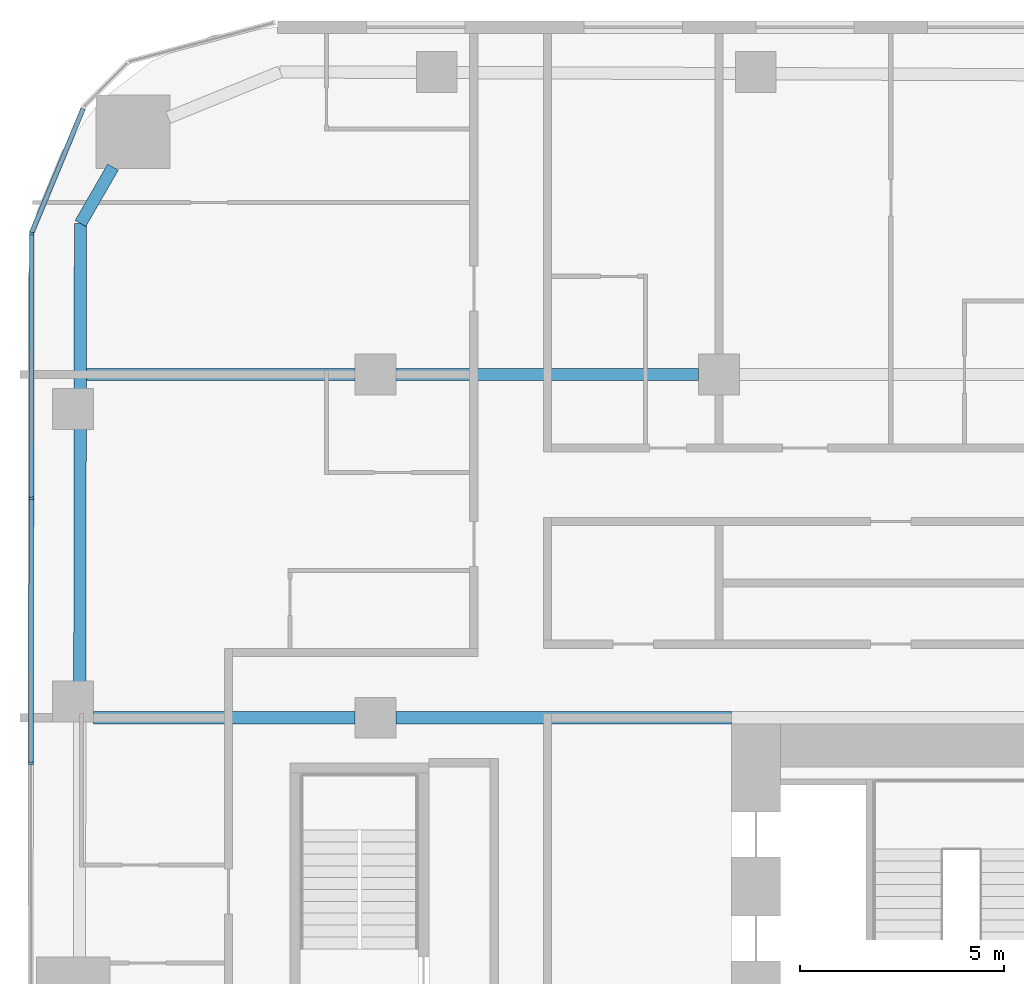
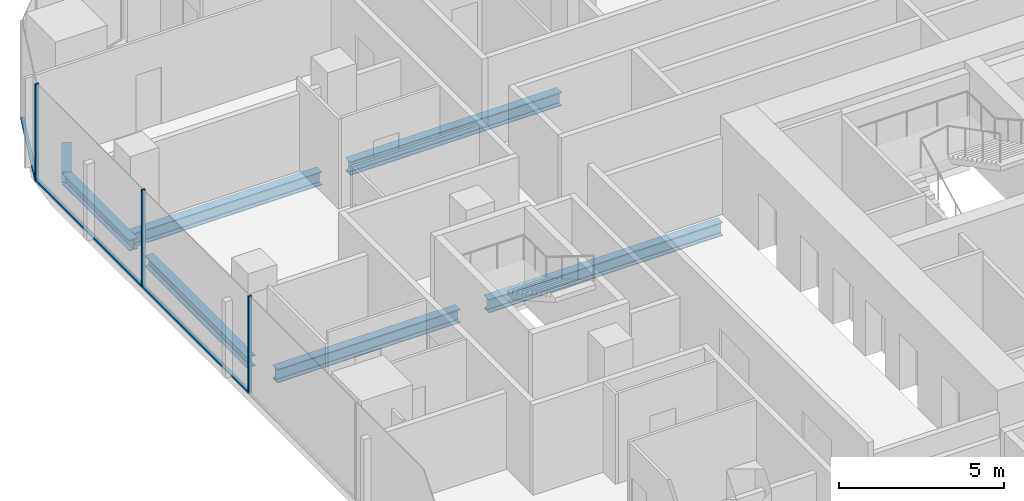
# One storey, part 8 of 26: 7 beams, 6 members, 2 elements without a shape of their own.
"""IFC4 building model written with IfcOpenShell, lengths in metres."""

import ifcopenshell
import ifcopenshell.guid

model = None  # the IFC model being written
_history = None  # IfcOwnerHistory: only IFC2X3 demands one
_inside = {}  # id of a spatial element -> (the spatial element, [elements in it])
_under = {}  # id of a project, library or spatial element -> (it, [spatial elements below it])
_declared = {}  # id of a project -> (the project, [libraries it declares])
_typed = {}  # id of a type object -> (the type object, [elements of that type])
_made_of = {}  # id of a material, layer set ... -> (it, [elements and type objects made of it])


def new_model(schema):
    """Start an empty IFC model of exactly this schema.

    Asked for "IFC4X3", IfcOpenShell would pick the latest addendum, in which some entities
    have other attributes; the version numbers below select the first issue.
    IFC2X3 requires an IfcOwnerHistory on every rooted entity: one is made here for all.
    """
    global model, _history
    if schema == "IFC4X3":
        model = ifcopenshell.file(schema_version=(4, 3, 0, 0))
    else:
        model = ifcopenshell.file(schema=schema)
    _inside.clear()
    _under.clear()
    _declared.clear()
    _typed.clear()
    _made_of.clear()
    _history = None
    if model.schema == "IFC2X3":
        org = make("IfcOrganization", Name="unknown")
        user = make(
            "IfcPersonAndOrganization",
            ThePerson=make("IfcPerson", FamilyName="unknown"),
            TheOrganization=org,
        )
        app = make(
            "IfcApplication",
            ApplicationDeveloper=org,
            Version="unknown",
            ApplicationFullName="unknown",
            ApplicationIdentifier="unknown",
        )
        _history = make(
            "IfcOwnerHistory",
            OwningUser=user,
            OwningApplication=app,
            ChangeAction="ADDED",
            CreationDate=0,
        )
    return model


def make(cls, **values):
    """One entity of the class cls with the attributes given. An attribute that is None is left unset."""
    return model.create_entity(
        cls, **{name: value for name, value in values.items() if value is not None}
    )


def rooted(cls, **values):
    """An entity with a GlobalId (a new one), such as an element, a storey or a relation."""
    return make(cls, GlobalId=ifcopenshell.guid.new(), OwnerHistory=_history, **values)


def si_unit(unit_type, name, prefix=None):
    """IfcSIUnit, for example si_unit("LENGTHUNIT", "METRE", prefix="MILLI")."""
    return make("IfcSIUnit", UnitType=unit_type, Prefix=prefix, Name=name)


def assignment(units):
    """IfcUnitAssignment: the units of a project."""
    return None if units is None else make("IfcUnitAssignment", Units=units)


def point(xyz):
    """IfcCartesianPoint."""
    return None if xyz is None else make("IfcCartesianPoint", Coordinates=xyz)


def direction(xyz):
    """IfcDirection."""
    return None if xyz is None else make("IfcDirection", DirectionRatios=xyz)


def frame(location, z_axis=None, x_axis=None):
    """IfcAxis2Placement3D, a coordinate frame: its origin and axes. An axis left out is left unset."""
    return make(
        "IfcAxis2Placement3D",
        Location=point(location),
        Axis=direction(z_axis),
        RefDirection=direction(x_axis),
    )


def frame_2d(location, x_axis=None):
    """IfcAxis2Placement2D, a coordinate frame in the plane: its origin and x axis."""
    return make(
        "IfcAxis2Placement2D", Location=point(location), RefDirection=direction(x_axis)
    )


def origin():
    """The frame at (0, 0, 0) with its axes left unset."""
    return frame((0.0, 0.0, 0.0))


def origin_2d():
    """The frame at (0, 0) in the plane with its x axis left unset."""
    return frame_2d((0.0, 0.0))


def place(relative_to, where):
    """IfcLocalPlacement: puts the frame where relative to a parent placement (None: the world)."""
    return make(
        "IfcLocalPlacement", PlacementRelTo=relative_to, RelativePlacement=where
    )


def context(
    kind, dimensions, precision=None, world=None, true_north=None, identifier=None
):
    """IfcGeometricRepresentationContext, for example the 3D "Model" context."""
    return make(
        "IfcGeometricRepresentationContext",
        ContextIdentifier=identifier,
        ContextType=kind,
        CoordinateSpaceDimension=dimensions,
        Precision=precision,
        WorldCoordinateSystem=world,
        TrueNorth=true_north,
    )


def subcontext(parent, identifier, kind, view, scale=None):
    """IfcGeometricRepresentationSubContext, for example "Body" below "Model"."""
    return make(
        "IfcGeometricRepresentationSubContext",
        ContextIdentifier=identifier,
        ContextType=kind,
        ParentContext=parent,
        TargetScale=scale,
        TargetView=view,
    )


def project(units=None, contexts=None):
    """IfcProject with its units and contexts."""
    return rooted(
        "IfcProject",
        Name="project",
        RepresentationContexts=contexts,
        UnitsInContext=assignment(units),
    )


def spatial(cls, under=None, at=None, **own):
    """A site, building, storey or space (cls), placed at a placement, below another one or the project."""
    s = rooted(cls, ObjectPlacement=at, **own)
    if under is not None:
        _under.setdefault(under.id(), (under, []))[1].append(s)
    return s


def profile(cls, at=None, kind="AREA", **sizes):
    """A parametric profile (cls). Its sizes go by their IFC names, for example OverallWidth=200.0."""
    return make(cls, ProfileType=kind, Position=at, **sizes)


def rectangle(**sizes):
    """IfcRectangleProfileDef."""
    return profile("IfcRectangleProfileDef", **sizes)


def i_section(**sizes):
    """IfcIShapeProfileDef."""
    return profile("IfcIShapeProfileDef", **sizes)


def extrude(swept, where, along, depth):
    """IfcExtrudedAreaSolid: the profile swept, set in the frame where, extruded along a direction by depth."""
    return make(
        "IfcExtrudedAreaSolid",
        SweptArea=swept,
        Position=where,
        ExtrudedDirection=direction(along),
        Depth=depth,
    )


def shape(context_of_items, identifier, shape_type, items):
    """IfcShapeRepresentation: the items that make up one representation, for example the "Body"."""
    return make(
        "IfcShapeRepresentation",
        ContextOfItems=context_of_items,
        RepresentationIdentifier=identifier,
        RepresentationType=shape_type,
        Items=items,
    )


def material(Name=None, Category=None):
    """IfcMaterial."""
    return make("IfcMaterial", Name=Name, Category=Category)


def layer(
    of_material, thickness, ventilated=None, Name=None, Category=None, Priority=None
):
    """IfcMaterialLayer: one layer of a wall or slab, of a material (None: an air gap)."""
    return make(
        "IfcMaterialLayer",
        Material=of_material,
        LayerThickness=thickness,
        IsVentilated=ventilated,
        Name=Name,
        Category=Category,
        Priority=Priority,
    )


def layer_set(layers, Name=None):
    """IfcMaterialLayerSet."""
    return make("IfcMaterialLayerSet", MaterialLayers=layers, LayerSetName=Name)


def material_profile(
    of_material, cross_section, Name=None, Category=None, Priority=None
):
    """IfcMaterialProfile: a cross section and its material."""
    return make(
        "IfcMaterialProfile",
        Name=Name,
        Material=of_material,
        Profile=cross_section,
        Priority=Priority,
        Category=Category,
    )


def profile_set(profiles, Name=None, composite=None):
    """IfcMaterialProfileSet."""
    return make(
        "IfcMaterialProfileSet",
        Name=Name,
        MaterialProfiles=profiles,
        CompositeProfile=composite,
    )


def made_of(thing, what):
    """Note that an element or type object is made of a material, layer set ...; save() writes the relation."""
    if what is not None:
        _made_of.setdefault(what.id(), (what, []))[1].append(thing)
    return thing


def type_object(cls, material=None, **own):
    """A type object (cls), such as IfcWallType, which elements share."""
    return made_of(rooted(cls, **own), material)


def element(
    cls,
    number,
    at=None,
    inside=None,
    cuts=None,
    type_object=None,
    material=None,
    context=None,
    identifier="Body",
    shape_type=None,
    held_by="IfcProductDefinitionShape",
    body=None,
    shapes=None,
    **own,
):
    """One element of the class cls, such as IfcWall. Its Tag is "e" and its number.

    at: its placement. inside: the storey or other place that contains it. cuts: it is an
    opening in that element (IfcRelVoidsElement). A single representation is given by context,
    identifier, shape_type and body (its items); several are given by shapes. held_by: the class
    of the entity that holds the representations. save() writes the other relations.
    """
    e = rooted(cls, Tag="e%d" % number, ObjectPlacement=at, **own)
    if body is not None:
        shapes = [shape(context, identifier, shape_type, body)]
    if shapes is not None:
        e.Representation = make(held_by, Representations=shapes)
    if inside is not None:
        _inside.setdefault(inside.id(), (inside, []))[1].append(e)
    if cuts is not None:
        rooted(
            "IfcRelVoidsElement", RelatingBuildingElement=cuts, RelatedOpeningElement=e
        )
    if type_object is not None:
        _typed.setdefault(type_object.id(), (type_object, []))[1].append(e)
    return made_of(e, material)


def aggregate(whole, parts):
    """IfcRelAggregates: a whole, such as a stair, and the parts it consists of."""
    return rooted("IfcRelAggregates", RelatingObject=whole, RelatedObjects=parts)


def save(model, path):
    """Write the relations noted so far, then the file.

    IfcRelAggregates (storeys below a building ...), IfcRelContainedInSpatialStructure (elements
    in a storey), IfcRelDefinesByType, IfcRelAssociatesMaterial and IfcRelDeclares: one each for
    every whole, place, type object, material and project.
    """
    for whole, parts in _under.values():
        aggregate(whole, parts)
    for where, things in _inside.values():
        rooted(
            "IfcRelContainedInSpatialStructure",
            RelatedElements=things,
            RelatingStructure=where,
        )
    for kind, things in _typed.values():
        rooted("IfcRelDefinesByType", RelatedObjects=things, RelatingType=kind)
    for what, things in _made_of.values():
        rooted("IfcRelAssociatesMaterial", RelatedObjects=things, RelatingMaterial=what)
    for by, libraries in _declared.values():
        rooted("IfcRelDeclares", RelatingContext=by, RelatedDefinitions=libraries)
    model.write(path)


model = new_model("IFC4")

# Units and contexts
model_context = context("Model", 3, precision=1e-05, world=origin(), true_north=direction((0.0, 1.0)))
body_context = subcontext(model_context, "Body", "Model", "MODEL_VIEW")
ifc_project = project(units=[si_unit("LENGTHUNIT", "METRE"), si_unit("AREAUNIT", "SQUARE_METRE"), si_unit("VOLUMEUNIT", "CUBIC_METRE"), si_unit("PLANEANGLEUNIT", "RADIAN"), si_unit("MASSUNIT", "GRAM", prefix="KILO")], contexts=[model_context])

# Site, building, storey
site_placement = place(None, origin())
site = spatial("IfcSite", under=ifc_project, at=site_placement, CompositionType="ELEMENT")
building_placement = place(site_placement, origin())
building = spatial("IfcBuilding", under=site, at=building_placement, Name="Marenta Gate Hotel Tower", CompositionType="ELEMENT")
storey_placement = place(building_placement, frame((0.0, 0.0, 65.300048828125)))
storey = spatial("IfcBuildingStorey", under=building, at=storey_placement, Name="L14", CompositionType="ELEMENT", Elevation=65.300048828125)

# Beams
ifc_material_1 = material(Name="Steel S355", Category="steel")
ifc_material_profile_1 = material_profile(ifc_material_1, i_section(OverallWidth=0.300048828125, OverallDepth=0.39990234375, WebThickness=0.013427734375, FlangeThickness=0.02392578125, FilletRadius=0.027099609375, at=origin_2d()), Name="HEB 400")
ifc_profile_set_1 = profile_set([ifc_material_profile_1], Name="Steel S355")
beam_type_1 = type_object("IfcBeamType", Name="Edge beam HEB 400", PredefinedType="SPANDREL", material=ifc_profile_set_1)
beam_1_placement = place(storey_placement, frame((-28.23681640625, 17.6630859375, -0.4599609375), z_axis=(0.001370827476, 0.999999060416, 0.0), x_axis=(-0.999999060416, 0.001370827476, 0.0)))
element("IfcBeam", 1, at=beam_1_placement, inside=storey, type_object=beam_type_1, Name="L14-EB-9", PredefinedType="SPANDREL", context=body_context, shape_type="SweptSolid", body=[
    extrude(i_section(OverallWidth=0.300048828125, OverallDepth=0.39990234375, WebThickness=0.013427734375, FlangeThickness=0.02392578125, FilletRadius=0.027099609375, at=origin_2d()), origin(), (0.0, 0.0, 1.0), 6.2333984375),
])
beam_2_placement = place(storey_placement, frame((-28.22705078125, 24.81640625, -0.4599609375), z_axis=(0.001377821732, 0.999999050803, 0.0), x_axis=(-0.999999050803, 0.001377821732, 0.0)))
element("IfcBeam", 2, at=beam_2_placement, inside=storey, type_object=beam_type_1, Name="L14-EB-10", PredefinedType="SPANDREL", context=body_context, shape_type="SweptSolid", body=[
    extrude(i_section(OverallWidth=0.300048828125, OverallDepth=0.39990234375, WebThickness=0.013427734375, FlangeThickness=0.02392578125, FilletRadius=0.027099609375, at=origin_2d()), origin(), (0.0, 0.0, 1.0), 4.075439453125),
])
beam_3_placement = place(storey_placement, frame((-28.221435546875, 28.891845703125, -0.4599609375), z_axis=(0.500098681536, 0.865968422476, 0.0), x_axis=(-0.865968422476, 0.500098681536, 0.0)))
element("IfcBeam", 3, at=beam_3_placement, inside=storey, type_object=beam_type_1, Name="L14-EB-11", PredefinedType="SPANDREL", context=body_context, shape_type="SweptSolid", body=[
    extrude(i_section(OverallWidth=0.300048828125, OverallDepth=0.39990234375, WebThickness=0.013427734375, FlangeThickness=0.02392578125, FilletRadius=0.027099609375, at=origin_2d()), origin(), (0.0, 0.0, 1.0), 1.591552734375),
])
ifc_material_2 = material(Name="Steel S355", Category="steel")
ifc_material_profile_2 = material_profile(ifc_material_2, i_section(OverallWidth=0.300048828125, OverallDepth=0.5, WebThickness=0.014404296875, FlangeThickness=0.028076171875, FilletRadius=0.027099609375, at=origin_2d()), Name="HEB 500")
ifc_profile_set_2 = profile_set([ifc_material_profile_2], Name="Steel S355")
beam_type_2 = type_object("IfcBeamType", Name="Girder HEB 500", PredefinedType="BEAM", material=ifc_profile_set_2)
beam_4_placement = place(storey_placement, frame((-27.89990234375, 16.800048828125, -0.510009765625), z_axis=(1.0, 0.0, 0.0), x_axis=(0.0, 1.0, 0.0)))
element("IfcBeam", 4, at=beam_4_placement, inside=storey, type_object=beam_type_2, Name="L14-GD-17", PredefinedType="BEAM", context=body_context, shape_type="SweptSolid", body=[
    extrude(i_section(OverallWidth=0.300048828125, OverallDepth=0.5, WebThickness=0.014404296875, FlangeThickness=0.028076171875, FilletRadius=0.027099609375, at=origin_2d()), origin(), (0.0, 0.0, 1.0), 6.39990234375),
])
beam_5_placement = place(storey_placement, frame((-20.5, 16.800048828125, -0.510009765625), z_axis=(1.0, 0.0, 0.0), x_axis=(0.0, 1.0, 0.0)))
element("IfcBeam", 5, at=beam_5_placement, inside=storey, type_object=beam_type_2, Name="L14-GD-18", PredefinedType="BEAM", context=body_context, shape_type="SweptSolid", body=[
    extrude(i_section(OverallWidth=0.300048828125, OverallDepth=0.5, WebThickness=0.014404296875, FlangeThickness=0.028076171875, FilletRadius=0.027099609375, at=origin_2d()), origin(), (0.0, 0.0, 1.0), 8.199951171875),
])
beam_6_placement = place(storey_placement, frame((-28.076416015625, 25.199951171875, -0.510009765625), z_axis=(1.0, 0.0, 0.0), x_axis=(0.0, 1.0, 0.0)))
element("IfcBeam", 6, at=beam_6_placement, inside=storey, type_object=beam_type_2, Name="L14-GD-22", PredefinedType="BEAM", context=body_context, shape_type="SweptSolid", body=[
    extrude(i_section(OverallWidth=0.300048828125, OverallDepth=0.5, WebThickness=0.014404296875, FlangeThickness=0.028076171875, FilletRadius=0.027099609375, at=origin_2d()), origin(), (0.0, 0.0, 1.0), 6.576416015625),
])
beam_7_placement = place(storey_placement, frame((-20.5, 25.199951171875, -0.510009765625), z_axis=(1.0, 0.0, 0.0), x_axis=(0.0, 1.0, 0.0)))
element("IfcBeam", 7, at=beam_7_placement, inside=storey, type_object=beam_type_2, Name="L14-GD-23", PredefinedType="BEAM", context=body_context, shape_type="SweptSolid", body=[
    extrude(i_section(OverallWidth=0.300048828125, OverallDepth=0.5, WebThickness=0.014404296875, FlangeThickness=0.028076171875, FilletRadius=0.027099609375, at=origin_2d()), origin(), (0.0, 0.0, 1.0), 7.39990234375),
])

# Curtain wall, members
ifc_material_3 = material(Name="Tinted insulated glass in bronze anodised frame", Category="glass")
ifc_layer = layer(ifc_material_3, 0.1201171875)
ifc_layer_set = layer_set([ifc_layer], Name="Tinted insulated glass in bronze anodised frame")
curtain_wall_type = type_object("IfcCurtainWallType", Name="Tower unitised curtain wall CW1", PredefinedType="NOTDEFINED", material=ifc_layer_set)
curtain_wall_1_placement = place(storey_placement, origin())
curtain_wall_1 = element("IfcCurtainWall", 8, at=curtain_wall_1_placement, inside=storey, type_object=curtain_wall_type, Name="CW1 run G03", PredefinedType="NOTDEFINED")
ifc_material_4 = material(Name="Bronze anodised aluminium", Category="aluminium")
ifc_material_profile_3 = material_profile(ifc_material_4, rectangle(XDim=0.1201171875, YDim=0.06005859375, at=origin_2d()), Name="Mullion CW1 60x120 bronze anodised aluminium")
ifc_profile_set_3 = profile_set([ifc_material_profile_3], Name="Bronze anodised aluminium")
member_type_1 = type_object("IfcMemberType", Name="Mullion CW1 60x120 bronze anodised aluminium", PredefinedType="MULLION", material=ifc_profile_set_3)
member_1_placement = place(storey_placement, frame((-29.412353515625, 28.63623046875, 0.0), z_axis=(0.0, 0.0, 1.0), x_axis=(0.99999877316, -0.00156642217, 0.0)))
member_1 = element("IfcMember", 9, at=member_1_placement, type_object=member_type_1, Name="CW1 mullion 1", PredefinedType="MULLION", context=body_context, shape_type="SweptSolid", body=[
    extrude(rectangle(XDim=0.1201171875, YDim=0.06005859375, at=origin_2d()), origin(), (0.0, 0.0, 1.0), 3.599853515625),
])
member_2_placement = place(storey_placement, frame((-29.42236328125, 22.17578125, 0.0), z_axis=(0.0, 0.0, 1.0), x_axis=(0.99999877316, -0.00156642217, 0.0)))
member_2 = element("IfcMember", 10, at=member_2_placement, type_object=member_type_1, Name="CW1 mullion 2", PredefinedType="MULLION", context=body_context, shape_type="SweptSolid", body=[
    extrude(rectangle(XDim=0.1201171875, YDim=0.06005859375, at=origin_2d()), origin(), (0.0, 0.0, 1.0), 3.599853515625),
])
member_3_placement = place(storey_placement, frame((-29.4326171875, 15.685546875, 0.0), z_axis=(0.0, 0.0, 1.0), x_axis=(0.99999877316, -0.00156642217, 0.0)))
member_3 = element("IfcMember", 11, at=member_3_placement, type_object=member_type_1, Name="CW1 mullion 3", PredefinedType="MULLION", context=body_context, shape_type="SweptSolid", body=[
    extrude(rectangle(XDim=0.1201171875, YDim=0.06005859375, at=origin_2d()), origin(), (0.0, 0.0, 1.0), 3.599853515625),
])

# Curtain wall, member
curtain_wall_2_placement = place(storey_placement, origin())
curtain_wall_2 = element("IfcCurtainWall", 12, at=curtain_wall_2_placement, inside=storey, type_object=curtain_wall_type, Name="CW1 run G02", PredefinedType="NOTDEFINED")
ifc_material_5 = material(Name="Bronze anodised aluminium", Category="aluminium")
ifc_material_profile_4 = material_profile(ifc_material_5, rectangle(XDim=0.1201171875, YDim=0.06005859375, at=origin_2d()), Name="Transom CW1 60x120 bronze anodised aluminium")
ifc_profile_set_4 = profile_set([ifc_material_profile_4], Name="Bronze anodised aluminium")
member_type_2 = type_object("IfcMemberType", Name="Transom CW1 60x120 bronze anodised aluminium", PredefinedType="USERDEFINED", material=ifc_profile_set_4)
member_4_placement = place(storey_placement, frame((-28.15380859375, 31.704345703125, 0.030029296875), z_axis=(-0.382716791654, -0.923865713936, 0.0), x_axis=(0.923865713936, -0.382716791654, 0.0)))
member_4 = element("IfcMember", 13, at=member_4_placement, type_object=member_type_2, Name="CW1 transom 1.1", ObjectType="TRANSOM", PredefinedType="USERDEFINED", context=body_context, shape_type="SweptSolid", body=[
    extrude(rectangle(XDim=0.1201171875, YDim=0.06005859375, at=origin_2d()), origin(), (0.0, 0.0, 1.0), 3.288330078125),
])
aggregate(curtain_wall_2, [member_4])

# Member
member_5_placement = place(storey_placement, frame((-29.412353515625, 28.606201171875, 0.030029296875), z_axis=(-0.001563928512, -0.999998777063, 0.0), x_axis=(0.999998777063, -0.001563928512, 0.0)))
member_5 = element("IfcMember", 14, at=member_5_placement, type_object=member_type_2, Name="CW1 transom 1.1", ObjectType="TRANSOM", PredefinedType="USERDEFINED", context=body_context, shape_type="SweptSolid", body=[
    extrude(rectangle(XDim=0.1201171875, YDim=0.06005859375, at=origin_2d()), origin(), (0.0, 0.0, 1.0), 6.400390625),
])

member_6_placement = place(storey_placement, frame((-29.422607421875, 22.145751953125, 0.030029296875), z_axis=(-0.001556684271, -0.999998788366, 0.0), x_axis=(0.999998788366, -0.001556684271, 0.0)))
member_6 = element("IfcMember", 15, at=member_6_placement, type_object=member_type_2, Name="CW1 transom 2.1", ObjectType="TRANSOM", PredefinedType="USERDEFINED", context=body_context, shape_type="SweptSolid", body=[
    extrude(rectangle(XDim=0.1201171875, YDim=0.06005859375, at=origin_2d()), origin(), (0.0, 0.0, 1.0), 6.43017578125),
])

aggregate(curtain_wall_1, [member_1, member_2, member_3, member_5, member_6])

save(model, "model.ifc")
